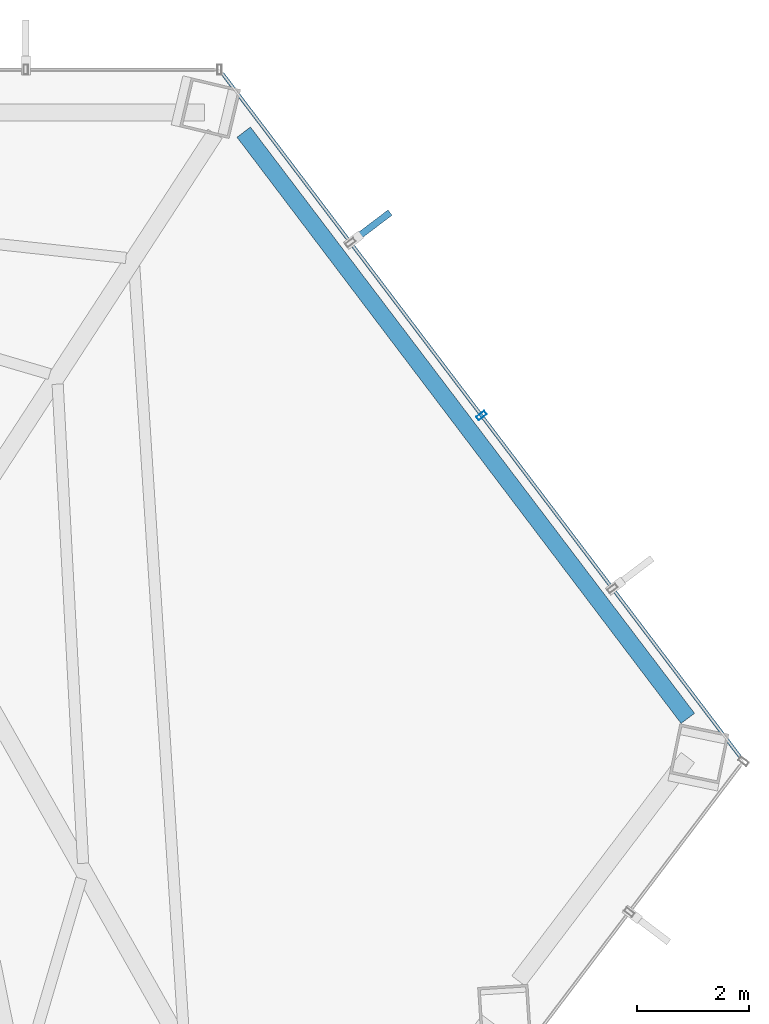
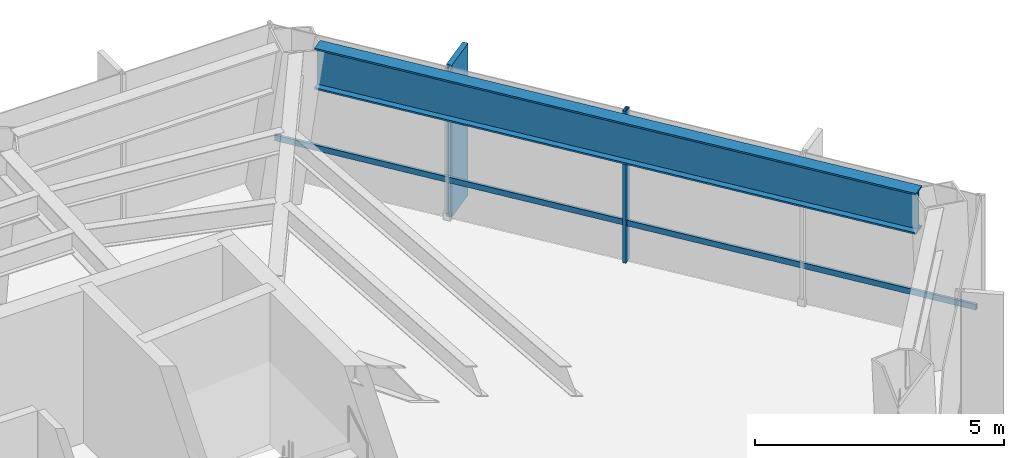
# One storey, part 20 of 25: 3 members, 1 beam, 1 element without a shape of its own.
"""IFC4 building model written with IfcOpenShell, lengths in metres."""

from ifc_helpers import new_model, si_unit, direction, frame, origin, origin_2d, place, context, subcontext, project, spatial, rectangle, hollow_rectangle, i_section, extrude, material, layer, layer_set, material_profile, profile_set, type_object, element, aggregate, save


model = new_model("IFC4")

# Units and contexts
model_context = context("Model", 3, precision=1e-05, world=origin(), true_north=direction((0.0, 1.0)))
body_context = subcontext(model_context, "Body", "Model", "MODEL_VIEW")
ifc_project = project(units=[si_unit("LENGTHUNIT", "METRE"), si_unit("AREAUNIT", "SQUARE_METRE"), si_unit("VOLUMEUNIT", "CUBIC_METRE"), si_unit("PLANEANGLEUNIT", "RADIAN"), si_unit("MASSUNIT", "GRAM", prefix="KILO")], contexts=[model_context])

# Site, building, storey
site_placement = place(None, origin())
site = spatial("IfcSite", under=ifc_project, at=site_placement, CompositionType="ELEMENT")
building_placement = place(site_placement, origin())
building = spatial("IfcBuilding", under=site, at=building_placement, Name="Zarrinselat Tower", CompositionType="ELEMENT")
storey_placement = place(building_placement, frame((0.0, 0.0, 105.06005859375)))
storey = spatial("IfcBuildingStorey", under=building, at=storey_placement, Name="L25", CompositionType="ELEMENT", Elevation=105.06005859375)

# Beam
ifc_material_1 = material(Name="Steel S460M", Category="steel")
ifc_material_profile_1 = material_profile(ifc_material_1, i_section(OverallWidth=0.302001953125, OverallDepth=1.008056640625, WebThickness=0.02099609375, FlangeThickness=0.0400390625, at=origin_2d()), Name="HEM 1000")
ifc_profile_set_1 = profile_set([ifc_material_profile_1], Name="Steel S460M")
beam_type = type_object("IfcBeamType", Name="BM-HEM1000", PredefinedType="BEAM", material=ifc_profile_set_1)
beam_placement = place(storey_placement, frame((53.226806640625, 48.38427734375, 3.225830078125), z_axis=(0.603857687995, -0.797092148154, 0.0), x_axis=(0.797092148154, 0.603857687995, 0.0)))
element("IfcBeam", 1, at=beam_placement, inside=storey, type_object=beam_type, Name="L25 Perimeter Spandrel Girder SP15", PredefinedType="BEAM", context=body_context, shape_type="SweptSolid", body=[
    extrude(i_section(OverallWidth=0.302001953125, OverallDepth=1.008056640625, WebThickness=0.02099609375, FlangeThickness=0.0400390625, at=origin_2d()), origin(), (0.0, 0.0, 1.0), 13.11962890625),
])

# Curtain wall, members
ifc_material_2 = material(Name="Extruded Aluminium Alloy EN AW-6063 T6", Category="aluminium")
ifc_layer = layer(ifc_material_2, 0.18505859375)
ifc_layer_set = layer_set([ifc_layer], Name="Extruded Aluminium Alloy EN AW-6063 T6")
curtain_wall_type = type_object("IfcCurtainWallType", Name="CWS-OFF", PredefinedType="NOTDEFINED", material=ifc_layer_set)
curtain_wall_placement = place(storey_placement, origin())
curtain_wall = element("IfcCurtainWall", 2, at=curtain_wall_placement, inside=storey, type_object=curtain_wall_type, Name="L25 Unitised Curtain Wall CW-L25-E06", PredefinedType="NOTDEFINED")
ifc_material_3 = material(Name="Extruded Aluminium Alloy EN AW-6063 T6", Category="aluminium")
ifc_material_profile_2 = material_profile(ifc_material_3, hollow_rectangle(XDim=0.080078125, YDim=0.179931640625, WallThickness=0.0048828125, at=origin_2d()), Name="RHS 180x80x5")
ifc_profile_set_2 = profile_set([ifc_material_profile_2], Name="Extruded Aluminium Alloy EN AW-6063 T6")
member_type_1 = type_object("IfcMemberType", Name="MEM-CW-MUL", PredefinedType="MULLION", material=ifc_profile_set_2)
member_1_placement = place(storey_placement, frame((57.468505859375, 43.330078125, 0.0), z_axis=(0.0, 0.0, 1.0), x_axis=(-0.6038584342, 0.797091582847, 0.0)))
member_1 = element("IfcMember", 3, at=member_1_placement, type_object=member_type_1, Name="CW-L25-E06 Mullion 2", PredefinedType="MULLION", context=body_context, shape_type="SweptSolid", body=[
    extrude(hollow_rectangle(XDim=0.080078125, YDim=0.179931640625, WallThickness=0.0048828125, at=origin_2d()), origin(), (0.0, 0.0, 1.0), 3.72998046875),
])
ifc_material_4 = material(Name="Extruded Aluminium Alloy EN AW-6063 T6", Category="aluminium")
ifc_material_profile_3 = material_profile(ifc_material_4, hollow_rectangle(XDim=0.06005859375, YDim=0.139892578125, WallThickness=0.00390625, at=origin_2d()), Name="RHS 140x60x4")
ifc_profile_set_3 = profile_set([ifc_material_profile_3], Name="Extruded Aluminium Alloy EN AW-6063 T6")
member_type_2 = type_object("IfcMemberType", Name="MEM-CW-TRN", PredefinedType="USERDEFINED", material=ifc_profile_set_3)
member_2_placement = place(storey_placement, frame((62.08837890625, 37.232177734375, 0.949951171875), z_axis=(-0.603860760063, 0.797089820821, 0.0), x_axis=(-0.797089820821, -0.603860760063, 0.0)))
member_2 = element("IfcMember", 4, at=member_2_placement, type_object=member_type_2, Name="CW-L25-E06 Transom 1", ObjectType="TRANSOM", PredefinedType="USERDEFINED", context=body_context, shape_type="SweptSolid", body=[
    extrude(hollow_rectangle(XDim=0.06005859375, YDim=0.139892578125, WallThickness=0.00390625, at=origin_2d()), origin(), (0.0, 0.0, 1.0), 15.30078125),
])
ifc_material_5 = material(Name="Honed Cream Travertine Stone", Category="masonry")
ifc_material_profile_4 = material_profile(ifc_material_5, rectangle(XDim=0.1201171875, YDim=0.85009765625, at=origin_2d()), Name="FIN 850x120")
ifc_profile_set_4 = profile_set([ifc_material_profile_4], Name="Honed Cream Travertine Stone")
member_type_3 = type_object("IfcMemberType", Name="MEM-STONE-FIN", PredefinedType="USERDEFINED", material=ifc_profile_set_4)
member_3_placement = place(storey_placement, frame((55.498291015625, 46.69287109375, 0.0), z_axis=(0.0, 0.0, 1.0), x_axis=(0.6038584342, -0.797091582847, 0.0)))
member_3 = element("IfcMember", 5, at=member_3_placement, type_object=member_type_3, Name="L25 Stone Shading Fin CW-L25-E06-03", ObjectType="FIN", PredefinedType="USERDEFINED", context=body_context, shape_type="SweptSolid", body=[
    extrude(rectangle(XDim=0.1201171875, YDim=0.85009765625, at=origin_2d()), origin(), (0.0, 0.0, 1.0), 3.72998046875),
])
aggregate(curtain_wall, [member_1, member_3, member_2])

save(model, "model.ifc")
